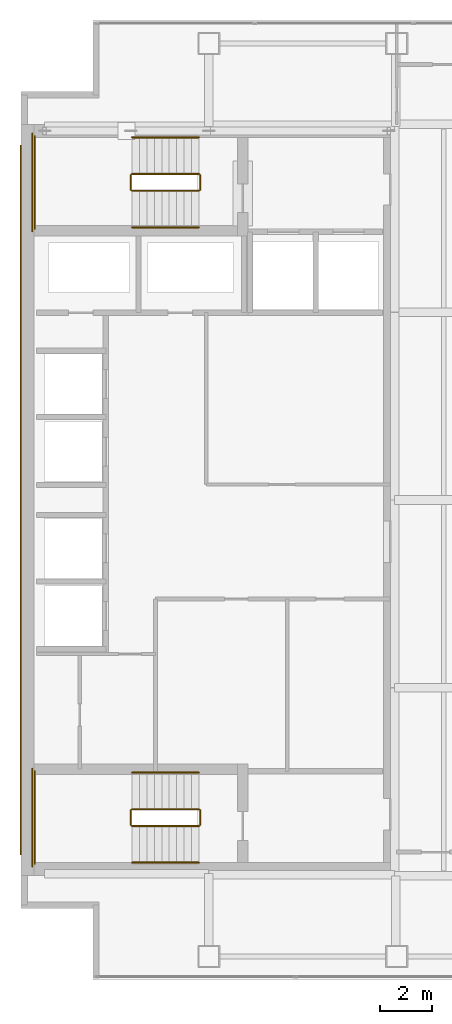
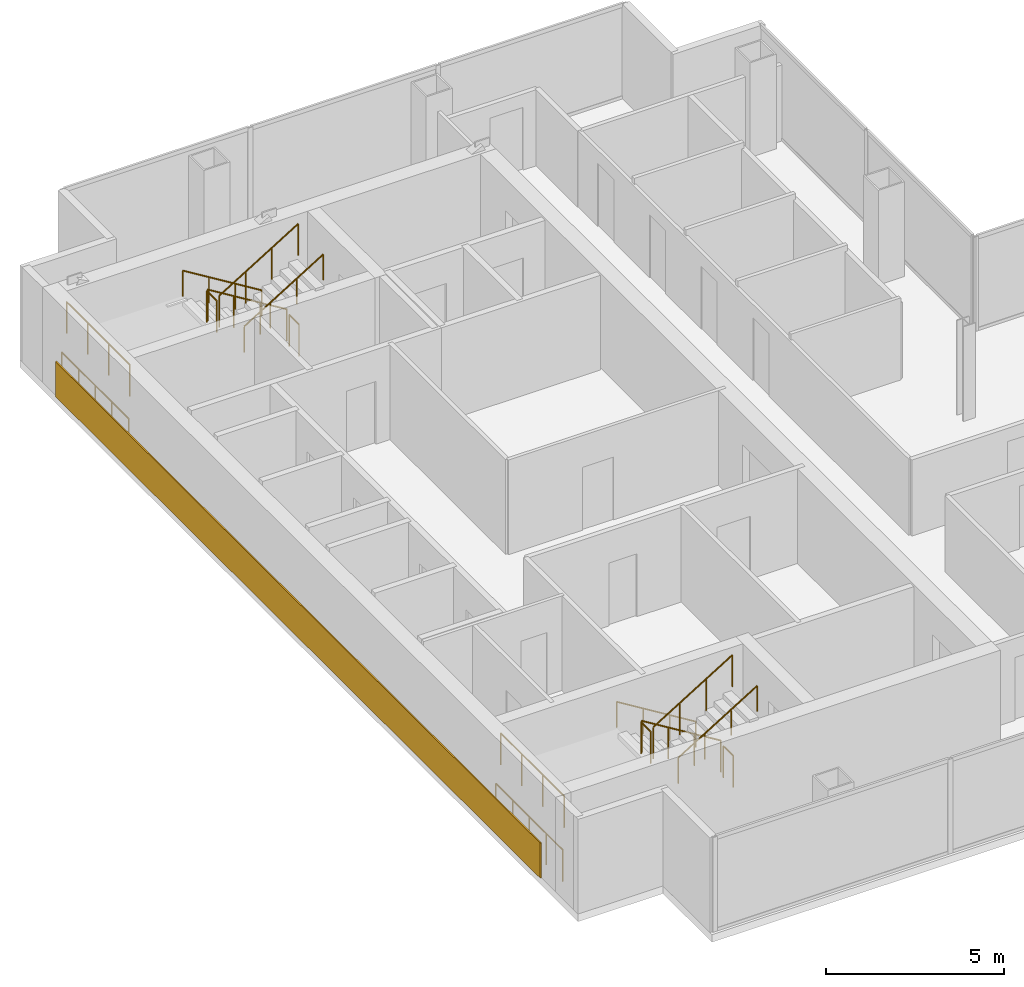
# One storey, part 23 of 23: 16 railings, 1 covering.
"""IFC4 building model written with IfcOpenShell, lengths in metres."""

import ifcopenshell
import ifcopenshell.guid

model = None  # the IFC model being written
_history = None  # IfcOwnerHistory: only IFC2X3 demands one
_inside = {}  # id of a spatial element -> (the spatial element, [elements in it])
_under = {}  # id of a project, library or spatial element -> (it, [spatial elements below it])
_declared = {}  # id of a project -> (the project, [libraries it declares])
_typed = {}  # id of a type object -> (the type object, [elements of that type])
_made_of = {}  # id of a material, layer set ... -> (it, [elements and type objects made of it])


def new_model(schema):
    """Start an empty IFC model of exactly this schema.

    Asked for "IFC4X3", IfcOpenShell would pick the latest addendum, in which some entities
    have other attributes; the version numbers below select the first issue.
    IFC2X3 requires an IfcOwnerHistory on every rooted entity: one is made here for all.
    """
    global model, _history
    if schema == "IFC4X3":
        model = ifcopenshell.file(schema_version=(4, 3, 0, 0))
    else:
        model = ifcopenshell.file(schema=schema)
    _inside.clear()
    _under.clear()
    _declared.clear()
    _typed.clear()
    _made_of.clear()
    _history = None
    if model.schema == "IFC2X3":
        org = make("IfcOrganization", Name="unknown")
        user = make(
            "IfcPersonAndOrganization",
            ThePerson=make("IfcPerson", FamilyName="unknown"),
            TheOrganization=org,
        )
        app = make(
            "IfcApplication",
            ApplicationDeveloper=org,
            Version="unknown",
            ApplicationFullName="unknown",
            ApplicationIdentifier="unknown",
        )
        _history = make(
            "IfcOwnerHistory",
            OwningUser=user,
            OwningApplication=app,
            ChangeAction="ADDED",
            CreationDate=0,
        )
    return model


def make(cls, **values):
    """One entity of the class cls with the attributes given. An attribute that is None is left unset."""
    return model.create_entity(
        cls, **{name: value for name, value in values.items() if value is not None}
    )


def rooted(cls, **values):
    """An entity with a GlobalId (a new one), such as an element, a storey or a relation."""
    return make(cls, GlobalId=ifcopenshell.guid.new(), OwnerHistory=_history, **values)


def si_unit(unit_type, name, prefix=None):
    """IfcSIUnit, for example si_unit("LENGTHUNIT", "METRE", prefix="MILLI")."""
    return make("IfcSIUnit", UnitType=unit_type, Prefix=prefix, Name=name)


def assignment(units):
    """IfcUnitAssignment: the units of a project."""
    return None if units is None else make("IfcUnitAssignment", Units=units)


def point(xyz):
    """IfcCartesianPoint."""
    return None if xyz is None else make("IfcCartesianPoint", Coordinates=xyz)


def direction(xyz):
    """IfcDirection."""
    return None if xyz is None else make("IfcDirection", DirectionRatios=xyz)


def frame(location, z_axis=None, x_axis=None):
    """IfcAxis2Placement3D, a coordinate frame: its origin and axes. An axis left out is left unset."""
    return make(
        "IfcAxis2Placement3D",
        Location=point(location),
        Axis=direction(z_axis),
        RefDirection=direction(x_axis),
    )


def frame_2d(location, x_axis=None):
    """IfcAxis2Placement2D, a coordinate frame in the plane: its origin and x axis."""
    return make(
        "IfcAxis2Placement2D", Location=point(location), RefDirection=direction(x_axis)
    )


def origin():
    """The frame at (0, 0, 0) with its axes left unset."""
    return frame((0.0, 0.0, 0.0))


def origin_2d():
    """The frame at (0, 0) in the plane with its x axis left unset."""
    return frame_2d((0.0, 0.0))


def place(relative_to, where):
    """IfcLocalPlacement: puts the frame where relative to a parent placement (None: the world)."""
    return make(
        "IfcLocalPlacement", PlacementRelTo=relative_to, RelativePlacement=where
    )


def context(
    kind, dimensions, precision=None, world=None, true_north=None, identifier=None
):
    """IfcGeometricRepresentationContext, for example the 3D "Model" context."""
    return make(
        "IfcGeometricRepresentationContext",
        ContextIdentifier=identifier,
        ContextType=kind,
        CoordinateSpaceDimension=dimensions,
        Precision=precision,
        WorldCoordinateSystem=world,
        TrueNorth=true_north,
    )


def subcontext(parent, identifier, kind, view, scale=None):
    """IfcGeometricRepresentationSubContext, for example "Body" below "Model"."""
    return make(
        "IfcGeometricRepresentationSubContext",
        ContextIdentifier=identifier,
        ContextType=kind,
        ParentContext=parent,
        TargetScale=scale,
        TargetView=view,
    )


def project(units=None, contexts=None):
    """IfcProject with its units and contexts."""
    return rooted(
        "IfcProject",
        Name="project",
        RepresentationContexts=contexts,
        UnitsInContext=assignment(units),
    )


def spatial(cls, under=None, at=None, **own):
    """A site, building, storey or space (cls), placed at a placement, below another one or the project."""
    s = rooted(cls, ObjectPlacement=at, **own)
    if under is not None:
        _under.setdefault(under.id(), (under, []))[1].append(s)
    return s


def polyline(points):
    """IfcPolyline through the points."""
    return make("IfcPolyline", Points=[point(p) for p in points])


def profile(cls, at=None, kind="AREA", **sizes):
    """A parametric profile (cls). Its sizes go by their IFC names, for example OverallWidth=200.0."""
    return make(cls, ProfileType=kind, Position=at, **sizes)


def circle(**sizes):
    """IfcCircleProfileDef."""
    return profile("IfcCircleProfileDef", **sizes)


def outline(outer, holes=None, kind="AREA"):
    """IfcArbitraryClosedProfileDef: a profile drawn as a closed curve; with holes, ...WithVoids."""
    if holes is None:
        return make("IfcArbitraryClosedProfileDef", ProfileType=kind, OuterCurve=outer)
    return make(
        "IfcArbitraryProfileDefWithVoids",
        ProfileType=kind,
        OuterCurve=outer,
        InnerCurves=holes,
    )


def extrude(swept, where, along, depth):
    """IfcExtrudedAreaSolid: the profile swept, set in the frame where, extruded along a direction by depth."""
    return make(
        "IfcExtrudedAreaSolid",
        SweptArea=swept,
        Position=where,
        ExtrudedDirection=direction(along),
        Depth=depth,
    )


def shape(context_of_items, identifier, shape_type, items):
    """IfcShapeRepresentation: the items that make up one representation, for example the "Body"."""
    return make(
        "IfcShapeRepresentation",
        ContextOfItems=context_of_items,
        RepresentationIdentifier=identifier,
        RepresentationType=shape_type,
        Items=items,
    )


def material(Name=None, Category=None):
    """IfcMaterial."""
    return make("IfcMaterial", Name=Name, Category=Category)


def layer(
    of_material, thickness, ventilated=None, Name=None, Category=None, Priority=None
):
    """IfcMaterialLayer: one layer of a wall or slab, of a material (None: an air gap)."""
    return make(
        "IfcMaterialLayer",
        Material=of_material,
        LayerThickness=thickness,
        IsVentilated=ventilated,
        Name=Name,
        Category=Category,
        Priority=Priority,
    )


def layer_set(layers, Name=None):
    """IfcMaterialLayerSet."""
    return make("IfcMaterialLayerSet", MaterialLayers=layers, LayerSetName=Name)


def made_of(thing, what):
    """Note that an element or type object is made of a material, layer set ...; save() writes the relation."""
    if what is not None:
        _made_of.setdefault(what.id(), (what, []))[1].append(thing)
    return thing


def type_object(cls, material=None, **own):
    """A type object (cls), such as IfcWallType, which elements share."""
    return made_of(rooted(cls, **own), material)


def element(
    cls,
    number,
    at=None,
    inside=None,
    cuts=None,
    type_object=None,
    material=None,
    context=None,
    identifier="Body",
    shape_type=None,
    held_by="IfcProductDefinitionShape",
    body=None,
    shapes=None,
    **own,
):
    """One element of the class cls, such as IfcWall. Its Tag is "e" and its number.

    at: its placement. inside: the storey or other place that contains it. cuts: it is an
    opening in that element (IfcRelVoidsElement). A single representation is given by context,
    identifier, shape_type and body (its items); several are given by shapes. held_by: the class
    of the entity that holds the representations. save() writes the other relations.
    """
    e = rooted(cls, Tag="e%d" % number, ObjectPlacement=at, **own)
    if body is not None:
        shapes = [shape(context, identifier, shape_type, body)]
    if shapes is not None:
        e.Representation = make(held_by, Representations=shapes)
    if inside is not None:
        _inside.setdefault(inside.id(), (inside, []))[1].append(e)
    if cuts is not None:
        rooted(
            "IfcRelVoidsElement", RelatingBuildingElement=cuts, RelatedOpeningElement=e
        )
    if type_object is not None:
        _typed.setdefault(type_object.id(), (type_object, []))[1].append(e)
    return made_of(e, material)


def aggregate(whole, parts):
    """IfcRelAggregates: a whole, such as a stair, and the parts it consists of."""
    return rooted("IfcRelAggregates", RelatingObject=whole, RelatedObjects=parts)


def save(model, path):
    """Write the relations noted so far, then the file.

    IfcRelAggregates (storeys below a building ...), IfcRelContainedInSpatialStructure (elements
    in a storey), IfcRelDefinesByType, IfcRelAssociatesMaterial and IfcRelDeclares: one each for
    every whole, place, type object, material and project.
    """
    for whole, parts in _under.values():
        aggregate(whole, parts)
    for where, things in _inside.values():
        rooted(
            "IfcRelContainedInSpatialStructure",
            RelatedElements=things,
            RelatingStructure=where,
        )
    for kind, things in _typed.values():
        rooted("IfcRelDefinesByType", RelatedObjects=things, RelatingType=kind)
    for what, things in _made_of.values():
        rooted("IfcRelAssociatesMaterial", RelatedObjects=things, RelatingMaterial=what)
    for by, libraries in _declared.values():
        rooted("IfcRelDeclares", RelatingContext=by, RelatedDefinitions=libraries)
    model.write(path)


model = new_model("IFC4")

# Units and contexts
model_context = context("Model", 3, precision=1e-05, world=origin(), true_north=direction((0.0, 1.0)))
body_context = subcontext(model_context, "Body", "Model", "MODEL_VIEW")
ifc_project = project(units=[si_unit("LENGTHUNIT", "METRE"), si_unit("AREAUNIT", "SQUARE_METRE"), si_unit("VOLUMEUNIT", "CUBIC_METRE"), si_unit("PLANEANGLEUNIT", "RADIAN"), si_unit("MASSUNIT", "GRAM", prefix="KILO")], contexts=[model_context])

# Site, building, storey
site_placement = place(None, origin())
site = spatial("IfcSite", under=ifc_project, at=site_placement, CompositionType="ELEMENT")
building_placement = place(site_placement, origin())
building = spatial("IfcBuilding", under=site, at=building_placement, Name="Cobrela Telecom Tower", CompositionType="ELEMENT")
storey_placement = place(building_placement, frame((0.0, 0.0, 180.25)))
storey = spatial("IfcBuildingStorey", under=building, at=storey_placement, Name="L45", CompositionType="ELEMENT", Elevation=180.25)

# Covering
ifc_material_1 = material(Name="Bogota Terracotta Architectural Stone", Category="masonry")
ifc_layer = layer(ifc_material_1, 0.0400390625)
ifc_layer_set = layer_set([ifc_layer], Name="Bogota Terracotta Architectural Stone")
covering_type = type_object("IfcCoveringType", Name="COV-CLAD-TERRA", PredefinedType="CLADDING", material=ifc_layer_set)
covering_placement = place(storey_placement, origin())
element("IfcCovering", 1, at=covering_placement, inside=storey, type_object=covering_type, Name="L45 West Core Terracotta Spandrel Cladding Band", PredefinedType="CLADDING", context=body_context, shape_type="SweptSolid", body=[
    extrude(outline(polyline([(-0.0400390625, 8.0), (0.0, 8.0), (0.0, 35.199951171875), (-0.0400390625, 35.199951171875), (-0.0400390625, 8.0)])), origin(), (0.0, 0.0, 1.0), 1.199951171875),
])

# Railings
ifc_material_2 = material(Name="Steel ASTM A36", Category="steel")
railing_type_1 = type_object("IfcRailingType", Name="RAIL-GUARD-1100", PredefinedType="GUARDRAIL", material=ifc_material_2)
railing_1_placement = place(storey_placement, frame((6.820068359375, 34.10009765625, 0.175048828125)))
element("IfcRailing", 2, at=railing_1_placement, inside=storey, type_object=railing_type_1, Name="L45 ST1 stair guard 1", PredefinedType="GUARDRAIL", context=body_context, shape_type="SweptSolid", body=[
    extrude(circle(Radius=0.02392578125, at=origin_2d()), frame((0.0, 0.0, 1.076171875), z_axis=(-0.852195335862, 0.0, 0.523223766217), x_axis=(0.0, -1.0, 0.0)), (0.0, 0.0, 1.0), 3.010009765625),
    extrude(circle(Radius=0.02099609375, at=origin_2d()), origin(), (0.0, 0.0, 1.0), 1.052001953125),
    extrude(circle(Radius=0.02099609375, at=origin_2d()), frame((-0.85498046875, 0.0, 0.52490234375)), (0.0, 0.0, 1.0), 1.052001953125),
    extrude(circle(Radius=0.02099609375, at=origin_2d()), frame((-1.710205078125, 0.0, 1.050048828125)), (0.0, 0.0, 1.0), 1.052001953125),
    extrude(circle(Radius=0.02099609375, at=origin_2d()), frame((-2.565185546875, 0.0, 1.574951171875)), (0.0, 0.0, 1.0), 1.052001953125),
])
railing_2_placement = place(storey_placement, frame((4.205078125, 34.050048828125, 1.75)))
element("IfcRailing", 3, at=railing_2_placement, inside=storey, type_object=railing_type_1, Name="L45 ST1 stair guard 2", PredefinedType="GUARDRAIL", context=body_context, shape_type="SweptSolid", body=[
    extrude(circle(Radius=0.02392578125, at=origin_2d()), frame((0.0, 0.0, 1.076171875), z_axis=(0.0, -1.0, 0.0), x_axis=(1.0, 0.0, 0.0)), (0.0, 0.0, 1.0), 0.550048828125),
    extrude(circle(Radius=0.02099609375, at=origin_2d()), origin(), (0.0, 0.0, 1.0), 1.052001953125),
    extrude(circle(Radius=0.02099609375, at=origin_2d()), frame((0.0, -0.550048828125, 0.0)), (0.0, 0.0, 1.0), 1.052001953125),
])
railing_3_placement = place(storey_placement, frame((0.530029296875, 35.550048828125, 1.75)))
element("IfcRailing", 4, at=railing_3_placement, inside=storey, type_object=railing_type_1, Name="L45 ST1 stair guard 3", PredefinedType="GUARDRAIL", context=body_context, shape_type="SweptSolid", body=[
    extrude(circle(Radius=0.02392578125, at=origin_2d()), frame((0.0, 0.0, 1.076171875), z_axis=(0.0, -1.0, 0.0), x_axis=(1.0, 0.0, 0.0)), (0.0, 0.0, 1.0), 3.550048828125),
    extrude(circle(Radius=0.02099609375, at=origin_2d()), origin(), (0.0, 0.0, 1.0), 1.052001953125),
    extrude(circle(Radius=0.02099609375, at=origin_2d()), frame((0.0, -1.183349609375, 0.0)), (0.0, 0.0, 1.0), 1.052001953125),
    extrude(circle(Radius=0.02099609375, at=origin_2d()), frame((0.0, -2.36669921875, 0.0)), (0.0, 0.0, 1.0), 1.052001953125),
    extrude(circle(Radius=0.02099609375, at=origin_2d()), frame((0.0, -3.550048828125, 0.0)), (0.0, 0.0, 1.0), 1.052001953125),
])
railing_4_placement = place(storey_placement, frame((4.2548828125, 33.449951171875, 1.925048828125)))
element("IfcRailing", 5, at=railing_4_placement, inside=storey, type_object=railing_type_1, Name="L45 ST1 stair guard 4", PredefinedType="GUARDRAIL", context=body_context, shape_type="SweptSolid", body=[
    extrude(circle(Radius=0.02392578125, at=origin_2d()), frame((0.0, 0.0, 1.076171875), z_axis=(0.852195335862, 0.0, 0.523223766217), x_axis=(0.0, 1.0, 0.0)), (0.0, 0.0, 1.0), 3.010009765625),
    extrude(circle(Radius=0.02099609375, at=origin_2d()), origin(), (0.0, 0.0, 1.0), 1.052001953125),
    extrude(circle(Radius=0.02099609375, at=origin_2d()), frame((0.85498046875, 0.0, 0.52490234375)), (0.0, 0.0, 1.0), 1.052001953125),
    extrude(circle(Radius=0.02099609375, at=origin_2d()), frame((1.710205078125, 0.0, 1.050048828125)), (0.0, 0.0, 1.0), 1.052001953125),
    extrude(circle(Radius=0.02099609375, at=origin_2d()), frame((2.565185546875, 0.0, 1.574951171875)), (0.0, 0.0, 1.0), 1.052001953125),
])
railing_5_placement = place(storey_placement, frame((6.8701171875, 34.050048828125, 0.0)))
element("IfcRailing", 6, at=railing_5_placement, inside=storey, type_object=railing_type_1, Name="L45 ST1 stair guard 5", PredefinedType="GUARDRAIL", context=body_context, shape_type="SweptSolid", body=[
    extrude(circle(Radius=0.02392578125, at=origin_2d()), frame((0.0, 0.0, 1.076171875), z_axis=(0.0, -1.0, 0.0), x_axis=(1.0, 0.0, 0.0)), (0.0, 0.0, 1.0), 0.550048828125),
    extrude(circle(Radius=0.02099609375, at=origin_2d()), origin(), (0.0, 0.0, 1.0), 1.052001953125),
    extrude(circle(Radius=0.02099609375, at=origin_2d()), frame((0.0, -0.550048828125, 0.0)), (0.0, 0.0, 1.0), 1.052001953125),
])
railing_6_placement = place(storey_placement, frame((0.429931640625, 35.64990234375, 0.0)))
element("IfcRailing", 7, at=railing_6_placement, inside=storey, type_object=railing_type_1, Name="L45 ST1 stair guard 6", PredefinedType="GUARDRAIL", context=body_context, shape_type="SweptSolid", body=[
    extrude(circle(Radius=0.02392578125, at=origin_2d()), frame((0.0, 0.0, 1.076171875), z_axis=(0.0, -1.0, 0.0), x_axis=(1.0, 0.0, 0.0)), (0.0, 0.0, 1.0), 3.75),
    extrude(circle(Radius=0.02099609375, at=origin_2d()), origin(), (0.0, 0.0, 1.0), 1.052001953125),
    extrude(circle(Radius=0.02099609375, at=origin_2d()), frame((0.0, -0.9375, 0.0)), (0.0, 0.0, 1.0), 1.052001953125),
    extrude(circle(Radius=0.02099609375, at=origin_2d()), frame((0.0, -1.875, 0.0)), (0.0, 0.0, 1.0), 1.052001953125),
    extrude(circle(Radius=0.02099609375, at=origin_2d()), frame((0.0, -2.8125, 0.0)), (0.0, 0.0, 1.0), 1.052001953125),
    extrude(circle(Radius=0.02099609375, at=origin_2d()), frame((0.0, -3.75, 0.0)), (0.0, 0.0, 1.0), 1.052001953125),
])
railing_7_placement = place(storey_placement, frame((6.820068359375, 9.75, 0.175048828125)))
element("IfcRailing", 8, at=railing_7_placement, inside=storey, type_object=railing_type_1, Name="L45 ST2 stair guard 1", PredefinedType="GUARDRAIL", context=body_context, shape_type="SweptSolid", body=[
    extrude(circle(Radius=0.02392578125, at=origin_2d()), frame((0.0, 0.0, 1.076171875), z_axis=(-0.852195335862, 0.0, 0.523223766217), x_axis=(0.0, -1.0, 0.0)), (0.0, 0.0, 1.0), 3.010009765625),
    extrude(circle(Radius=0.02099609375, at=origin_2d()), origin(), (0.0, 0.0, 1.0), 1.052001953125),
    extrude(circle(Radius=0.02099609375, at=origin_2d()), frame((-0.85498046875, 0.0, 0.52490234375)), (0.0, 0.0, 1.0), 1.052001953125),
    extrude(circle(Radius=0.02099609375, at=origin_2d()), frame((-1.710205078125, 0.0, 1.050048828125)), (0.0, 0.0, 1.0), 1.052001953125),
    extrude(circle(Radius=0.02099609375, at=origin_2d()), frame((-2.565185546875, 0.0, 1.574951171875)), (0.0, 0.0, 1.0), 1.052001953125),
])
railing_8_placement = place(storey_placement, frame((4.205078125, 9.699951171875, 1.75)))
element("IfcRailing", 9, at=railing_8_placement, inside=storey, type_object=railing_type_1, Name="L45 ST2 stair guard 2", PredefinedType="GUARDRAIL", context=body_context, shape_type="SweptSolid", body=[
    extrude(circle(Radius=0.02392578125, at=origin_2d()), frame((0.0, 0.0, 1.076171875), z_axis=(0.0, -1.0, 0.0), x_axis=(1.0, 0.0, 0.0)), (0.0, 0.0, 1.0), 0.550048828125),
    extrude(circle(Radius=0.02099609375, at=origin_2d()), origin(), (0.0, 0.0, 1.0), 1.052001953125),
    extrude(circle(Radius=0.02099609375, at=origin_2d()), frame((0.0, -0.550048828125, 0.0)), (0.0, 0.0, 1.0), 1.052001953125),
])
railing_9_placement = place(storey_placement, frame((0.530029296875, 11.199951171875, 1.75)))
element("IfcRailing", 10, at=railing_9_placement, inside=storey, type_object=railing_type_1, Name="L45 ST2 stair guard 3", PredefinedType="GUARDRAIL", context=body_context, shape_type="SweptSolid", body=[
    extrude(circle(Radius=0.02392578125, at=origin_2d()), frame((0.0, 0.0, 1.076171875), z_axis=(0.0, -1.0, 0.0), x_axis=(1.0, 0.0, 0.0)), (0.0, 0.0, 1.0), 3.550048828125),
    extrude(circle(Radius=0.02099609375, at=origin_2d()), origin(), (0.0, 0.0, 1.0), 1.052001953125),
    extrude(circle(Radius=0.02099609375, at=origin_2d()), frame((0.0, -1.183349609375, 0.0)), (0.0, 0.0, 1.0), 1.052001953125),
    extrude(circle(Radius=0.02099609375, at=origin_2d()), frame((0.0, -2.36669921875, 0.0)), (0.0, 0.0, 1.0), 1.052001953125),
    extrude(circle(Radius=0.02099609375, at=origin_2d()), frame((0.0, -3.550048828125, 0.0)), (0.0, 0.0, 1.0), 1.052001953125),
])
railing_10_placement = place(storey_placement, frame((4.2548828125, 9.10009765625, 1.925048828125)))
element("IfcRailing", 11, at=railing_10_placement, inside=storey, type_object=railing_type_1, Name="L45 ST2 stair guard 4", PredefinedType="GUARDRAIL", context=body_context, shape_type="SweptSolid", body=[
    extrude(circle(Radius=0.02392578125, at=origin_2d()), frame((0.0, 0.0, 1.076171875), z_axis=(0.852195335862, 0.0, 0.523223766217), x_axis=(0.0, 1.0, 0.0)), (0.0, 0.0, 1.0), 3.010009765625),
    extrude(circle(Radius=0.02099609375, at=origin_2d()), origin(), (0.0, 0.0, 1.0), 1.052001953125),
    extrude(circle(Radius=0.02099609375, at=origin_2d()), frame((0.85498046875, 0.0, 0.52490234375)), (0.0, 0.0, 1.0), 1.052001953125),
    extrude(circle(Radius=0.02099609375, at=origin_2d()), frame((1.710205078125, 0.0, 1.050048828125)), (0.0, 0.0, 1.0), 1.052001953125),
    extrude(circle(Radius=0.02099609375, at=origin_2d()), frame((2.565185546875, 0.0, 1.574951171875)), (0.0, 0.0, 1.0), 1.052001953125),
])
railing_11_placement = place(storey_placement, frame((6.8701171875, 9.699951171875, 0.0)))
element("IfcRailing", 12, at=railing_11_placement, inside=storey, type_object=railing_type_1, Name="L45 ST2 stair guard 5", PredefinedType="GUARDRAIL", context=body_context, shape_type="SweptSolid", body=[
    extrude(circle(Radius=0.02392578125, at=origin_2d()), frame((0.0, 0.0, 1.076171875), z_axis=(0.0, -1.0, 0.0), x_axis=(1.0, 0.0, 0.0)), (0.0, 0.0, 1.0), 0.550048828125),
    extrude(circle(Radius=0.02099609375, at=origin_2d()), origin(), (0.0, 0.0, 1.0), 1.052001953125),
    extrude(circle(Radius=0.02099609375, at=origin_2d()), frame((0.0, -0.550048828125, 0.0)), (0.0, 0.0, 1.0), 1.052001953125),
])
railing_12_placement = place(storey_placement, frame((0.429931640625, 11.300048828125, 0.0)))
element("IfcRailing", 13, at=railing_12_placement, inside=storey, type_object=railing_type_1, Name="L45 ST2 stair guard 6", PredefinedType="GUARDRAIL", context=body_context, shape_type="SweptSolid", body=[
    extrude(circle(Radius=0.02392578125, at=origin_2d()), frame((0.0, 0.0, 1.076171875), z_axis=(0.0, -1.0, 0.0), x_axis=(1.0, 0.0, 0.0)), (0.0, 0.0, 1.0), 3.75),
    extrude(circle(Radius=0.02099609375, at=origin_2d()), origin(), (0.0, 0.0, 1.0), 1.052001953125),
    extrude(circle(Radius=0.02099609375, at=origin_2d()), frame((0.0, -0.9375, 0.0)), (0.0, 0.0, 1.0), 1.052001953125),
    extrude(circle(Radius=0.02099609375, at=origin_2d()), frame((0.0, -1.875, 0.0)), (0.0, 0.0, 1.0), 1.052001953125),
    extrude(circle(Radius=0.02099609375, at=origin_2d()), frame((0.0, -2.8125, 0.0)), (0.0, 0.0, 1.0), 1.052001953125),
    extrude(circle(Radius=0.02099609375, at=origin_2d()), frame((0.0, -3.75, 0.0)), (0.0, 0.0, 1.0), 1.052001953125),
])
railing_type_2 = type_object("IfcRailingType", Name="RAIL-HAND-920", PredefinedType="HANDRAIL", material=ifc_material_2)
railing_13_placement = place(storey_placement, frame((6.820068359375, 35.5, 0.175048828125)))
element("IfcRailing", 14, at=railing_13_placement, inside=storey, type_object=railing_type_2, Name="L45 ST1 stair handrail 1", PredefinedType="HANDRAIL", context=body_context, shape_type="SweptSolid", body=[
    extrude(circle(Radius=0.02392578125, at=origin_2d()), frame((0.0, 0.0, 0.8759765625), z_axis=(-0.852195335862, 0.0, 0.523223766217), x_axis=(0.0, -1.0, 0.0)), (0.0, 0.0, 1.0), 3.010009765625),
    extrude(circle(Radius=0.02099609375, at=origin_2d()), origin(), (0.0, 0.0, 1.0), 0.851806640625),
    extrude(circle(Radius=0.02099609375, at=origin_2d()), frame((-0.85498046875, 0.0, 0.52490234375)), (0.0, 0.0, 1.0), 0.851806640625),
    extrude(circle(Radius=0.02099609375, at=origin_2d()), frame((-1.710205078125, 0.0, 1.050048828125)), (0.0, 0.0, 1.0), 0.851806640625),
    extrude(circle(Radius=0.02099609375, at=origin_2d()), frame((-2.565185546875, 0.0, 1.574951171875)), (0.0, 0.0, 1.0), 0.851806640625),
])
railing_14_placement = place(storey_placement, frame((4.2548828125, 32.050048828125, 1.925048828125)))
element("IfcRailing", 15, at=railing_14_placement, inside=storey, type_object=railing_type_2, Name="L45 ST1 stair handrail 2", PredefinedType="HANDRAIL", context=body_context, shape_type="SweptSolid", body=[
    extrude(circle(Radius=0.02392578125, at=origin_2d()), frame((0.0, 0.0, 0.8759765625), z_axis=(0.852195335862, 0.0, 0.523223766217), x_axis=(0.0, 1.0, 0.0)), (0.0, 0.0, 1.0), 3.010009765625),
    extrude(circle(Radius=0.02099609375, at=origin_2d()), origin(), (0.0, 0.0, 1.0), 0.851806640625),
    extrude(circle(Radius=0.02099609375, at=origin_2d()), frame((0.85498046875, 0.0, 0.52490234375)), (0.0, 0.0, 1.0), 0.851806640625),
    extrude(circle(Radius=0.02099609375, at=origin_2d()), frame((1.710205078125, 0.0, 1.050048828125)), (0.0, 0.0, 1.0), 0.851806640625),
    extrude(circle(Radius=0.02099609375, at=origin_2d()), frame((2.565185546875, 0.0, 1.574951171875)), (0.0, 0.0, 1.0), 0.851806640625),
])
railing_15_placement = place(storey_placement, frame((6.820068359375, 11.14990234375, 0.175048828125)))
element("IfcRailing", 16, at=railing_15_placement, inside=storey, type_object=railing_type_2, Name="L45 ST2 stair handrail 1", PredefinedType="HANDRAIL", context=body_context, shape_type="SweptSolid", body=[
    extrude(circle(Radius=0.02392578125, at=origin_2d()), frame((0.0, 0.0, 0.8759765625), z_axis=(-0.852195335862, 0.0, 0.523223766217), x_axis=(0.0, -1.0, 0.0)), (0.0, 0.0, 1.0), 3.010009765625),
    extrude(circle(Radius=0.02099609375, at=origin_2d()), origin(), (0.0, 0.0, 1.0), 0.851806640625),
    extrude(circle(Radius=0.02099609375, at=origin_2d()), frame((-0.85498046875, 0.0, 0.52490234375)), (0.0, 0.0, 1.0), 0.851806640625),
    extrude(circle(Radius=0.02099609375, at=origin_2d()), frame((-1.710205078125, 0.0, 1.050048828125)), (0.0, 0.0, 1.0), 0.851806640625),
    extrude(circle(Radius=0.02099609375, at=origin_2d()), frame((-2.565185546875, 0.0, 1.574951171875)), (0.0, 0.0, 1.0), 0.851806640625),
])
railing_16_placement = place(storey_placement, frame((4.2548828125, 7.699951171875, 1.925048828125)))
element("IfcRailing", 17, at=railing_16_placement, inside=storey, type_object=railing_type_2, Name="L45 ST2 stair handrail 2", PredefinedType="HANDRAIL", context=body_context, shape_type="SweptSolid", body=[
    extrude(circle(Radius=0.02392578125, at=origin_2d()), frame((0.0, 0.0, 0.8759765625), z_axis=(0.852195335862, 0.0, 0.523223766217), x_axis=(0.0, 1.0, 0.0)), (0.0, 0.0, 1.0), 3.010009765625),
    extrude(circle(Radius=0.02099609375, at=origin_2d()), origin(), (0.0, 0.0, 1.0), 0.851806640625),
    extrude(circle(Radius=0.02099609375, at=origin_2d()), frame((0.85498046875, 0.0, 0.52490234375)), (0.0, 0.0, 1.0), 0.851806640625),
    extrude(circle(Radius=0.02099609375, at=origin_2d()), frame((1.710205078125, 0.0, 1.050048828125)), (0.0, 0.0, 1.0), 0.851806640625),
    extrude(circle(Radius=0.02099609375, at=origin_2d()), frame((2.565185546875, 0.0, 1.574951171875)), (0.0, 0.0, 1.0), 0.851806640625),
])

save(model, "model.ifc")
